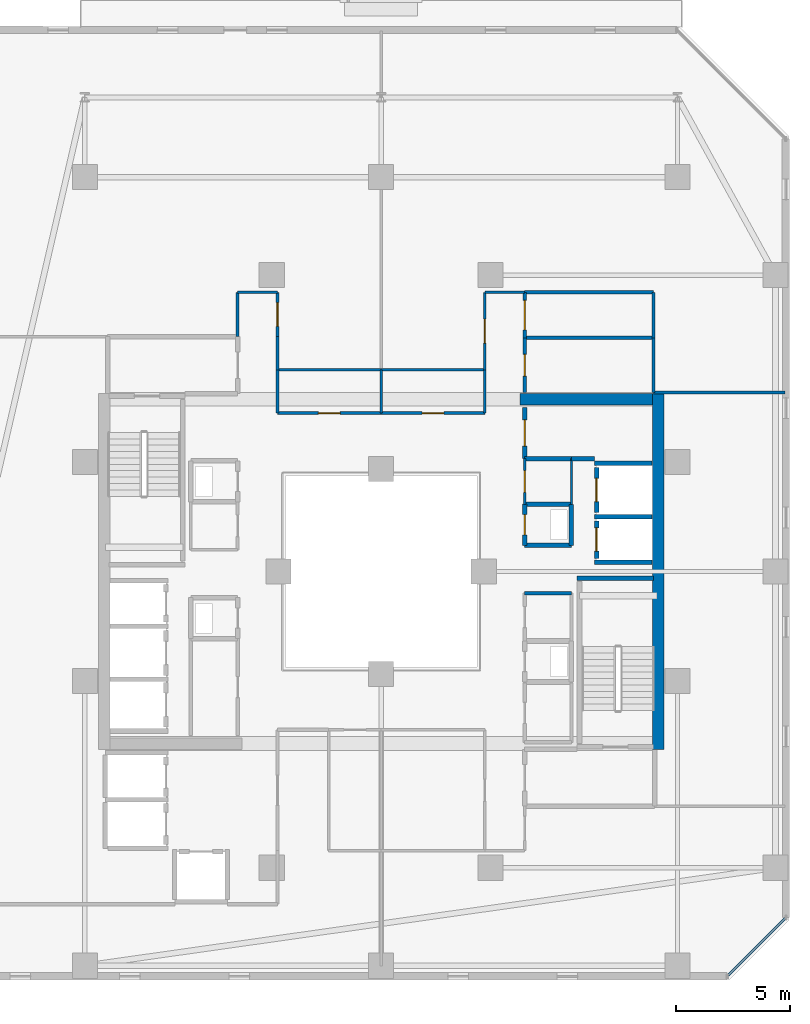
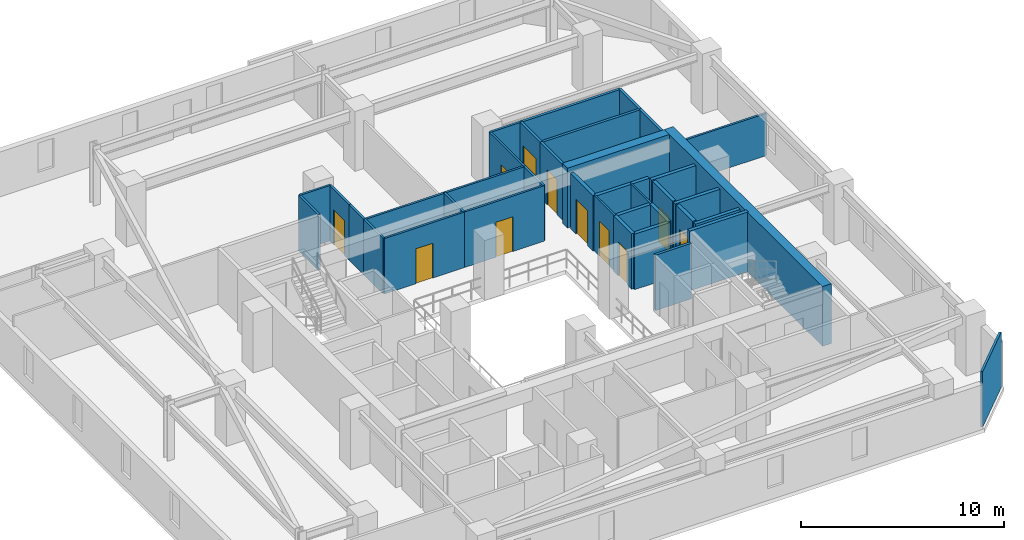
# One storey, part 25 of 33: 39 walls, 11 doors, 11 openings.
"""IFC4 building model written with IfcOpenShell, lengths in metres."""

from ifc_helpers import new_model, si_unit, direction, frame, frame_2d, origin, place, context, subcontext, project, spatial, rectangle, extrude, material, layer, layer_set, type_object, element, fill, save


model = new_model("IFC4")

# Units and contexts
model_context = context("Model", 3, precision=1e-05, world=origin(), true_north=direction((0.0, 1.0)))
body_context = subcontext(model_context, "Body", "Model", "MODEL_VIEW")
ifc_project = project(units=[si_unit("LENGTHUNIT", "METRE"), si_unit("AREAUNIT", "SQUARE_METRE"), si_unit("VOLUMEUNIT", "CUBIC_METRE"), si_unit("PLANEANGLEUNIT", "RADIAN"), si_unit("MASSUNIT", "GRAM", prefix="KILO")], contexts=[model_context])

# Site, building, storey
site_placement = place(None, origin())
site = spatial("IfcSite", under=ifc_project, at=site_placement, CompositionType="ELEMENT")
building_placement = place(site_placement, origin())
building = spatial("IfcBuilding", under=site, at=building_placement, Name="Thornwick Lancets Civic Towers", CompositionType="ELEMENT")
storey_placement = place(building_placement, frame((0.0, 0.0, 192.89990234375)))
storey = spatial("IfcBuildingStorey", under=building, at=storey_placement, Name="L51", CompositionType="ELEMENT", Elevation=192.89990234375)

# Wall, opening, door
ifc_material_1 = material(Name="Concrete blockwork C40/50", Category="masonry")
ifc_layer_1 = layer(ifc_material_1, 0.199951171875, Name="Concrete blockwork C40/50")
ifc_layer_set_1 = layer_set([ifc_layer_1], Name="Concrete blockwork C40/50")
wall_type_1 = type_object("IfcWallType", Name="WALL_COMP_200", PredefinedType="STANDARD", material=ifc_layer_set_1)
wall_1_placement = place(storey_placement, frame((97.949951171875, 29.219970703125, 0.0), z_axis=(0.0, 0.0, 1.0), x_axis=(0.0, -1.0, 0.0)))
wall_1 = element("IfcWall", 1, at=wall_1_placement, inside=storey, type_object=wall_type_1, Name="L51 Hoistway Front Wall FL-B1", PredefinedType="STANDARD", context=body_context, shape_type="SweptSolid", body=[
    extrude(rectangle(XDim=1.639892578125, YDim=0.199951171875, at=frame_2d((0.81982421875, 0.0))), origin(), (0.0, 0.0, 1.0), 3.340087890625),
])
opening_1_placement = place(wall_1_placement, frame((0.31005859375, 0.0, 0.0)))
opening_1 = element("IfcOpeningElement", 2, at=opening_1_placement, cuts=wall_1, Name="Opening LD-FL-B1", PredefinedType="OPENING", context=body_context, shape_type="SweptSolid", body=[
    extrude(rectangle(XDim=1.02001953125, YDim=2.06005859375, at=frame_2d((0.510009765625, 1.030029296875))), frame((0.0, 0.10986328125, 0.0), z_axis=(0.0, -1.0, 0.0), x_axis=(1.0, 0.0, 0.0)), (0.0, 0.0, 1.0), 0.219970703125),
])
ifc_material_2 = material(Name="Brushed bronze stainless steel", Category="steel")
door_type_1 = type_object("IfcDoorType", Name="DOOR_LIFT_SLIDE", OperationType="SLIDING_TO_LEFT", PredefinedType="DOOR", material=ifc_material_2)
door_1_placement = place(opening_1_placement, origin())
door_1 = element("IfcDoor", 3, at=door_1_placement, inside=storey, type_object=door_type_1, Name="L51 Sliding Lift Landing Door LD-FL-B1", OperationType="SLIDING_TO_LEFT", OverallHeight=2.06005859375, OverallWidth=1.02001953125, PredefinedType="DOOR", context=body_context, shape_type="SweptSolid", body=[
    extrude(rectangle(XDim=1.02001953125, YDim=2.06005859375, at=frame_2d((0.510009765625, 1.030029296875))), frame((0.0, 0.02490234375, 0.0), z_axis=(0.0, -1.0, 0.0), x_axis=(1.0, 0.0, 0.0)), (0.0, 0.0, 1.0), 0.050048828125),
])
fill(opening_1, door_1)

wall_2_placement = place(storey_placement, frame((97.949951171875, 31.570068359375, 0.0), z_axis=(0.0, 0.0, 1.0), x_axis=(0.0, -1.0, 0.0)))
wall_2 = element("IfcWall", 4, at=wall_2_placement, inside=storey, type_object=wall_type_1, Name="L51 Hoistway Front Wall PL-BH1", PredefinedType="STANDARD", context=body_context, shape_type="SweptSolid", body=[
    extrude(rectangle(XDim=1.989990234375, YDim=0.199951171875, at=frame_2d((0.9951171875, 0.0))), origin(), (0.0, 0.0, 1.0), 3.340087890625),
])
opening_2_placement = place(wall_2_placement, frame((0.485107421875, 0.0, 0.0)))
opening_2 = element("IfcOpeningElement", 5, at=opening_2_placement, cuts=wall_2, Name="Opening LD-PL-BH1", PredefinedType="OPENING", context=body_context, shape_type="SweptSolid", body=[
    extrude(rectangle(XDim=1.02001953125, YDim=2.06005859375, at=frame_2d((0.510009765625, 1.030029296875))), frame((0.0, 0.10986328125, 0.0), z_axis=(0.0, -1.0, 0.0), x_axis=(1.0, 0.0, 0.0)), (0.0, 0.0, 1.0), 0.219970703125),
])
door_2_placement = place(opening_2_placement, origin())
door_2 = element("IfcDoor", 6, at=door_2_placement, inside=storey, type_object=door_type_1, Name="L51 Sliding Lift Landing Door LD-PL-BH1", OperationType="SLIDING_TO_LEFT", OverallHeight=2.06005859375, OverallWidth=1.02001953125, PredefinedType="DOOR", context=body_context, shape_type="SweptSolid", body=[
    extrude(rectangle(XDim=1.02001953125, YDim=2.06005859375, at=frame_2d((0.510009765625, 1.030029296875))), frame((0.0, 0.02490234375, 0.0), z_axis=(0.0, -1.0, 0.0), x_axis=(1.0, 0.0, 0.0)), (0.0, 0.0, 1.0), 0.050048828125),
])
fill(opening_2, door_2)

# Walls
for number, where, z_axis, x_axis, name in (
    (7, (97.85205078125, 29.39990234375, 0.0), (0.0, 0.0, 1.0), (1.0, 0.0, 0.0), "L51 Hoistway Shaft Wall FL-B1 N"),
    (8, (97.85205078125, 27.39990234375, 0.0), (0.0, 0.0, 1.0), (1.0, 0.0, 0.0), "L51 Hoistway Shaft Wall FL-B1 S"),
    (9, (97.85205078125, 31.75, 0.0), (0.0, 0.0, 1.0), (1.0, 0.0, 0.0), "L51 Hoistway Shaft Wall PL-BH1 N"),
):
    element("IfcWall", number, at=place(storey_placement, frame(where, z_axis=z_axis, x_axis=x_axis)), inside=storey, type_object=wall_type_1, Name=name, PredefinedType="STANDARD", context=body_context, shape_type="SweptSolid", body=[
        extrude(rectangle(XDim=2.535888671875, YDim=0.199951171875, at=frame_2d((1.26806640625, 0.0))), origin(), (0.0, 0.0, 1.0), 3.340087890625),
    ])
wall_3_placement = place(storey_placement, frame((94.800048828125, 28.14990234375, 0.0), z_axis=(0.0, 0.0, 1.0), x_axis=(1.0, 0.0, 0.0)))
element("IfcWall", 10, at=wall_3_placement, inside=storey, type_object=wall_type_1, Name="L51 Partition L51-B-DUCT1 E1", PredefinedType="STANDARD", context=body_context, shape_type="SweptSolid", body=[
    extrude(rectangle(XDim=2.050048828125, YDim=0.199951171875, at=frame_2d((1.02490234375, 0.0))), origin(), (0.0, 0.0, 1.0), 3.340087890625),
])
wall_4_placement = place(storey_placement, frame((96.85009765625, 28.14990234375, 0.0), z_axis=(0.0, 0.0, 1.0), x_axis=(0.0, 1.0, 0.0)))
element("IfcWall", 11, at=wall_4_placement, inside=storey, type_object=wall_type_1, Name="L51 Partition L51-B-DUCT1 E2", PredefinedType="STANDARD", context=body_context, shape_type="SweptSolid", body=[
    extrude(rectangle(XDim=1.800048828125, YDim=0.199951171875, at=frame_2d((0.89990234375, 0.0))), origin(), (0.0, 0.0, 1.0), 3.340087890625),
])
wall_5_placement = place(storey_placement, frame((96.85009765625, 29.949951171875, 0.0), z_axis=(0.0, 0.0, 1.0), x_axis=(-1.0, 0.0, 0.0)))
element("IfcWall", 12, at=wall_5_placement, inside=storey, type_object=wall_type_1, Name="L51 Partition L51-B-DUCT1 E3", PredefinedType="STANDARD", context=body_context, shape_type="SweptSolid", body=[
    extrude(rectangle(XDim=2.050048828125, YDim=0.199951171875, at=frame_2d((1.02490234375, 0.0))), origin(), (0.0, 0.0, 1.0), 3.340087890625),
])

# Wall, opening, door
wall_6_placement = place(storey_placement, frame((94.800048828125, 29.949951171875, 0.0), z_axis=(0.0, 0.0, 1.0), x_axis=(0.0, -1.0, 0.0)))
wall_6 = element("IfcWall", 13, at=wall_6_placement, inside=storey, type_object=wall_type_1, Name="L51 Partition L51-B-DUCT1 E4", PredefinedType="STANDARD", context=body_context, shape_type="SweptSolid", body=[
    extrude(rectangle(XDim=1.800048828125, YDim=0.199951171875, at=frame_2d((0.89990234375, 0.0))), origin(), (0.0, 0.0, 1.0), 3.340087890625),
])
opening_3_placement = place(wall_6_placement, frame((0.4599609375, 0.0, 0.0)))
opening_3 = element("IfcOpeningElement", 14, at=opening_3_placement, cuts=wall_6, Name="Opening D-L51-2265", PredefinedType="OPENING", context=body_context, shape_type="SweptSolid", body=[
    extrude(rectangle(XDim=0.8798828125, YDim=2.0400390625, at=frame_2d((0.43994140625, 1.02001953125))), frame((0.0, 0.10986328125, 0.0), z_axis=(0.0, -1.0, 0.0), x_axis=(1.0, 0.0, 0.0)), (0.0, 0.0, 1.0), 0.219970703125),
])
ifc_material_3 = material(Name="Steel riser access doorset", Category="steel")
door_type_2 = type_object("IfcDoorType", Name="DOOR_RISER_850", OperationType="NOTDEFINED", PredefinedType="DOOR", material=ifc_material_3)
door_3_placement = place(opening_3_placement, origin())
door_3 = element("IfcDoor", 15, at=door_3_placement, inside=storey, type_object=door_type_2, Name="L51 East Service Duct 1 Door", OperationType="SINGLE_SWING_RIGHT", OverallHeight=2.0400390625, OverallWidth=0.8798828125, PredefinedType="DOOR", context=body_context, shape_type="SweptSolid", body=[
    extrude(rectangle(XDim=0.8798828125, YDim=2.0400390625, at=frame_2d((0.43994140625, 1.02001953125))), frame((0.0, 0.02490234375, 0.0), z_axis=(0.0, -1.0, 0.0), x_axis=(1.0, 0.0, 0.0)), (0.0, 0.0, 1.0), 0.050048828125),
])
fill(opening_3, door_3)

wall_7_placement = place(storey_placement, frame((94.800048828125, 31.949951171875, 0.0), z_axis=(0.0, 0.0, 1.0), x_axis=(0.0, 1.0, 0.0)))
wall_7 = element("IfcWall", 16, at=wall_7_placement, inside=storey, type_object=wall_type_1, Name="L51 Partition L51-B-ITR2 E1", PredefinedType="STANDARD", context=body_context, shape_type="SweptSolid", body=[
    extrude(rectangle(XDim=2.25, YDim=0.199951171875, at=frame_2d((1.125, 0.0))), origin(), (0.0, 0.0, 1.0), 3.340087890625),
])
opening_4_placement = place(wall_7_placement, frame((0.550048828125, 0.0, 0.0)))
opening_4 = element("IfcOpeningElement", 17, at=opening_4_placement, cuts=wall_7, Name="Opening D-L51-2272", PredefinedType="OPENING", context=body_context, shape_type="SweptSolid", body=[
    extrude(rectangle(XDim=1.14990234375, YDim=2.10009765625, at=frame_2d((0.574951171875, 1.050048828125))), frame((0.0, 0.10986328125, 0.0), z_axis=(0.0, -1.0, 0.0), x_axis=(1.0, 0.0, 0.0)), (0.0, 0.0, 1.0), 0.219970703125),
])
ifc_material_4 = material(Name="Glazed fire-resisting steel", Category="steel")
door_type_3 = type_object("IfcDoorType", Name="DOOR_LOBBY_FD60", OperationType="NOTDEFINED", PredefinedType="DOOR", material=ifc_material_4)
door_4_placement = place(opening_4_placement, origin())
door_4 = element("IfcDoor", 18, at=door_4_placement, inside=storey, type_object=door_type_3, Name="L51 Tower B Statutory Core Archive Door", OperationType="SINGLE_SWING_LEFT", OverallHeight=2.10009765625, OverallWidth=1.14990234375, PredefinedType="DOOR", context=body_context, shape_type="SweptSolid", body=[
    extrude(rectangle(XDim=1.14990234375, YDim=2.10009765625, at=frame_2d((0.574951171875, 1.050048828125))), frame((0.0, 0.02490234375, 0.0), z_axis=(0.0, -1.0, 0.0), x_axis=(1.0, 0.0, 0.0)), (0.0, 0.0, 1.0), 0.050048828125),
])
fill(opening_4, door_4)

# Walls
wall_8_placement = place(storey_placement, frame((97.85205078125, 31.949951171875, 0.0), z_axis=(0.0, 0.0, 1.0), x_axis=(-1.0, 0.0, 0.0)))
element("IfcWall", 19, at=wall_8_placement, inside=storey, type_object=wall_type_1, Name="L51 Partition L51-B-ITR2 E4", PredefinedType="STANDARD", context=body_context, shape_type="SweptSolid", body=[
    extrude(rectangle(XDim=1.001953125, YDim=0.199951171875, at=frame_2d((0.5009765625, 0.0))), origin(), (0.0, 0.0, 1.0), 3.340087890625),
])
wall_9_placement = place(storey_placement, frame((96.85009765625, 31.949951171875, 0.0), z_axis=(0.0, 0.0, 1.0), x_axis=(-1.0, 0.0, 0.0)))
element("IfcWall", 20, at=wall_9_placement, inside=storey, type_object=wall_type_1, Name="L51 Partition L51-B-ITR2 E5", PredefinedType="STANDARD", context=body_context, shape_type="SweptSolid", body=[
    extrude(rectangle(XDim=2.050048828125, YDim=0.199951171875, at=frame_2d((1.02490234375, 0.0))), origin(), (0.0, 0.0, 1.0), 3.340087890625),
])
ifc_material_5 = material(Name="Concrete C50/60", Category="concrete")
ifc_layer_2 = layer(ifc_material_5, 0.5, Name="Concrete C50/60")
ifc_layer_set_2 = layer_set([ifc_layer_2], Name="Concrete C50/60")
wall_type_2 = type_object("IfcWallType", Name="WALL_CORE_500", PredefinedType="SHEAR", material=ifc_layer_set_2)
wall_10_placement = place(storey_placement, frame((100.64990234375, 19.199951171875, 0.0), z_axis=(0.0, 0.0, 1.0), x_axis=(0.0, 1.0, 0.0)))
element("IfcWall", 21, at=wall_10_placement, inside=storey, type_object=wall_type_2, Name="L51 Split Core B1 Shear Wall E", PredefinedType="SHEAR", context=body_context, shape_type="SweptSolid", body=[
    extrude(rectangle(XDim=15.60009765625, YDim=0.5, at=frame_2d((7.800048828125, 0.0))), origin(), (0.0, 0.0, 1.0), 3.60009765625),
])
wall_11_placement = place(storey_placement, frame((94.60009765625, 34.550048828125, 0.0), z_axis=(0.0, 0.0, 1.0), x_axis=(1.0, 0.0, 0.0)))
element("IfcWall", 22, at=wall_11_placement, inside=storey, type_object=wall_type_2, Name="L51 Split Core B1 Shear Wall N", PredefinedType="SHEAR", context=body_context, shape_type="SweptSolid", body=[
    extrude(rectangle(XDim=5.7998046875, YDim=0.5, at=frame_2d((2.89990234375, 0.0))), origin(), (0.0, 0.0, 1.0), 3.60009765625),
])

# Wall, opening, door
ifc_material_6 = material(Name="Lightweight cellular office partition")
ifc_layer_3 = layer(ifc_material_6, 0.10009765625, Name="Lightweight cellular office partition")
ifc_layer_set_3 = layer_set([ifc_layer_3], Name="Lightweight cellular office partition")
wall_type_3 = type_object("IfcWallType", Name="WALL_PART_100", PredefinedType="PARTITIONING", material=ifc_layer_set_3)
wall_12_placement = place(storey_placement, frame((94.800048828125, 29.949951171875, 0.0), z_axis=(0.0, 0.0, 1.0), x_axis=(0.0, 1.0, 0.0)))
wall_12 = element("IfcWall", 23, at=wall_12_placement, inside=storey, type_object=wall_type_3, Name="L51 Partition L51-B-CLN E1", PredefinedType="PARTITIONING", context=body_context, shape_type="SweptSolid", body=[
    extrude(rectangle(XDim=2.0, YDim=0.10009765625, at=frame_2d((1.0, 0.0))), origin(), (0.0, 0.0, 1.0), 3.340087890625),
])
opening_5_placement = place(wall_12_placement, frame((0.52490234375, 0.0, 0.0)))
opening_5 = element("IfcOpeningElement", 24, at=opening_5_placement, cuts=wall_12, Name="Opening D-L51-2271", PredefinedType="OPENING", context=body_context, shape_type="SweptSolid", body=[
    extrude(rectangle(XDim=0.949951171875, YDim=2.10009765625, at=frame_2d((0.47509765625, 1.050048828125))), frame((0.0, 0.06005859375, 0.0), z_axis=(0.0, -1.0, 0.0), x_axis=(1.0, 0.0, 0.0)), (0.0, 0.0, 1.0), 0.1201171875),
])
ifc_material_7 = material(Name="European oak acoustic doorset")
door_type_4 = type_object("IfcDoorType", Name="DOOR_OFFICE_950", OperationType="NOTDEFINED", PredefinedType="DOOR", material=ifc_material_7)
door_5_placement = place(opening_5_placement, origin())
door_5 = element("IfcDoor", 25, at=door_5_placement, inside=storey, type_object=door_type_4, Name="L51 Tower B Cleaners Store Door", OperationType="SINGLE_SWING_RIGHT", OverallHeight=2.10009765625, OverallWidth=0.949951171875, PredefinedType="DOOR", context=body_context, shape_type="SweptSolid", body=[
    extrude(rectangle(XDim=0.949951171875, YDim=2.10009765625, at=frame_2d((0.47509765625, 1.050048828125))), frame((0.0, 0.02490234375, 0.0), z_axis=(0.0, -1.0, 0.0), x_axis=(1.0, 0.0, 0.0)), (0.0, 0.0, 1.0), 0.050048828125),
])
fill(opening_5, door_5)

# Walls
wall_13_placement = place(storey_placement, frame((96.85009765625, 31.949951171875, 0.0), z_axis=(0.0, 0.0, 1.0), x_axis=(0.0, -1.0, 0.0)))
element("IfcWall", 26, at=wall_13_placement, inside=storey, type_object=wall_type_3, Name="L51 Partition L51-B-CLN E3", PredefinedType="PARTITIONING", context=body_context, shape_type="SweptSolid", body=[
    extrude(rectangle(XDim=2.0, YDim=0.10009765625, at=frame_2d((1.0, 0.0))), origin(), (0.0, 0.0, 1.0), 3.340087890625),
])
ifc_material_8 = material(Name="Acoustic gypsum board partition")
ifc_layer_4 = layer(ifc_material_8, 0.1201171875, Name="Acoustic gypsum board partition")
ifc_layer_set_4 = layer_set([ifc_layer_4], Name="Acoustic gypsum board partition")
wall_type_4 = type_object("IfcWallType", Name="WALL_PART_120", PredefinedType="PARTITIONING", material=ifc_layer_set_4)
wall_14_placement = place(storey_placement, frame((106.219970703125, 11.774658203125, 0.0), z_axis=(0.0, 0.0, 1.0), x_axis=(-0.707106781187, -0.707106781187, 0.0)))
element("IfcWall", 27, at=wall_14_placement, inside=storey, type_object=wall_type_4, Name="L51 Partition L51-B-W1 E15", PredefinedType="PARTITIONING", context=body_context, shape_type="SweptSolid", body=[
    extrude(rectangle(XDim=3.52783203125, YDim=0.1201171875, at=frame_2d((1.763916015625, 0.0))), origin(), (0.0, 0.0, 1.0), 3.340087890625),
])
wall_15_placement = place(storey_placement, frame((88.5, 33.949951171875, 0.0), z_axis=(0.0, 0.0, 1.0), x_axis=(0.0, 1.0, 0.0)))
element("IfcWall", 28, at=wall_15_placement, inside=storey, type_object=wall_type_4, Name="L51 Partition L51-B-E1 E1", PredefinedType="PARTITIONING", context=body_context, shape_type="SweptSolid", body=[
    extrude(rectangle(XDim=1.900146484375, YDim=0.1201171875, at=frame_2d((0.9501953125, 0.0))), origin(), (0.0, 0.0, 1.0), 3.340087890625),
])
wall_16_placement = place(storey_placement, frame((88.5, 35.85009765625, 0.0), z_axis=(0.0, 0.0, 1.0), x_axis=(1.0, 0.0, 0.0)))
element("IfcWall", 29, at=wall_16_placement, inside=storey, type_object=wall_type_4, Name="L51 Partition L51-B-E1 E2", PredefinedType="PARTITIONING", context=body_context, shape_type="SweptSolid", body=[
    extrude(rectangle(XDim=4.550048828125, YDim=0.1201171875, at=frame_2d((2.27490234375, 0.0))), origin(), (0.0, 0.0, 1.0), 3.340087890625),
])
wall_17_placement = place(storey_placement, frame((93.050048828125, 35.85009765625, 0.0), z_axis=(0.0, 0.0, 1.0), x_axis=(0.0, -1.0, 0.0)))
element("IfcWall", 30, at=wall_17_placement, inside=storey, type_object=wall_type_4, Name="L51 Partition L51-B-E1 E3", PredefinedType="PARTITIONING", context=body_context, shape_type="SweptSolid", body=[
    extrude(rectangle(XDim=1.900146484375, YDim=0.1201171875, at=frame_2d((0.9501953125, 0.0))), origin(), (0.0, 0.0, 1.0), 3.340087890625),
])

# Wall, opening, door
wall_18_placement = place(storey_placement, frame((93.050048828125, 33.949951171875, 0.0), z_axis=(0.0, 0.0, 1.0), x_axis=(-1.0, 0.0, 0.0)))
wall_18 = element("IfcWall", 31, at=wall_18_placement, inside=storey, type_object=wall_type_4, Name="L51 Partition L51-B-E1 E4", PredefinedType="PARTITIONING", context=body_context, shape_type="SweptSolid", body=[
    extrude(rectangle(XDim=4.550048828125, YDim=0.1201171875, at=frame_2d((2.27490234375, 0.0))), origin(), (0.0, 0.0, 1.0), 3.340087890625),
])
opening_6_placement = place(wall_18_placement, frame((1.800048828125, 0.0, 0.0)))
opening_6 = element("IfcOpeningElement", 32, at=opening_6_placement, cuts=wall_18, Name="Opening D-L51-2291", PredefinedType="OPENING", context=body_context, shape_type="SweptSolid", body=[
    extrude(rectangle(XDim=0.949951171875, YDim=2.10009765625, at=frame_2d((0.47509765625, 1.050048828125))), frame((0.0, 0.070068359375, 0.0), z_axis=(0.0, -1.0, 0.0), x_axis=(1.0, 0.0, 0.0)), (0.0, 0.0, 1.0), 0.14013671875),
])
door_6_placement = place(opening_6_placement, origin())
door_6 = element("IfcDoor", 33, at=door_6_placement, inside=storey, type_object=door_type_4, Name="L51 Tower B Visitors Reception and Waiting Door", OperationType="SINGLE_SWING_RIGHT", OverallHeight=2.10009765625, OverallWidth=0.949951171875, PredefinedType="DOOR", context=body_context, shape_type="SweptSolid", body=[
    extrude(rectangle(XDim=0.949951171875, YDim=2.10009765625, at=frame_2d((0.47509765625, 1.050048828125))), frame((0.0, 0.02490234375, 0.0), z_axis=(0.0, -1.0, 0.0), x_axis=(1.0, 0.0, 0.0)), (0.0, 0.0, 1.0), 0.050048828125),
])
fill(opening_6, door_6)

# Wall
wall_19_placement = place(storey_placement, frame((94.800048828125, 39.25, 0.0), z_axis=(0.0, 0.0, 1.0), x_axis=(-1.0, 0.0, 0.0)))
element("IfcWall", 34, at=wall_19_placement, inside=storey, type_object=wall_type_4, Name="L51 Partition L51-B-E2 E4", PredefinedType="PARTITIONING", context=body_context, shape_type="SweptSolid", body=[
    extrude(rectangle(XDim=1.75, YDim=0.1201171875, at=frame_2d((0.875, 0.0))), origin(), (0.0, 0.0, 1.0), 3.340087890625),
])

# Wall, opening, door
wall_20_placement = place(storey_placement, frame((93.050048828125, 39.25, 0.0), z_axis=(0.0, 0.0, 1.0), x_axis=(0.0, -1.0, 0.0)))
wall_20 = element("IfcWall", 35, at=wall_20_placement, inside=storey, type_object=wall_type_4, Name="L51 Partition L51-B-E2 E5", PredefinedType="PARTITIONING", context=body_context, shape_type="SweptSolid", body=[
    extrude(rectangle(XDim=3.39990234375, YDim=0.1201171875, at=frame_2d((1.699951171875, 0.0))), origin(), (0.0, 0.0, 1.0), 3.340087890625),
])
opening_7_placement = place(wall_20_placement, frame((1.175048828125, 0.0, 0.0)))
opening_7 = element("IfcOpeningElement", 36, at=opening_7_placement, cuts=wall_20, Name="Opening D-L51-2292", PredefinedType="OPENING", context=body_context, shape_type="SweptSolid", body=[
    extrude(rectangle(XDim=1.050048828125, YDim=2.10009765625, at=frame_2d((0.52490234375, 1.050048828125))), frame((0.0, 0.070068359375, 0.0), z_axis=(0.0, -1.0, 0.0), x_axis=(1.0, 0.0, 0.0)), (0.0, 0.0, 1.0), 0.14013671875),
])
ifc_material_9 = material(Name="Glazed European oak executive doorset")
door_type_5 = type_object("IfcDoorType", Name="DOOR_OFFICE_1050", OperationType="NOTDEFINED", PredefinedType="DOOR", material=ifc_material_9)
door_7_placement = place(opening_7_placement, origin())
door_7 = element("IfcDoor", 37, at=door_7_placement, inside=storey, type_object=door_type_5, Name="L51 Tower B Secretariat Open Office E1 Door", OperationType="SINGLE_SWING_LEFT", OverallHeight=2.10009765625, OverallWidth=1.050048828125, PredefinedType="DOOR", context=body_context, shape_type="SweptSolid", body=[
    extrude(rectangle(XDim=1.050048828125, YDim=2.10009765625, at=frame_2d((0.52490234375, 1.050048828125))), frame((0.0, 0.02490234375, 0.0), z_axis=(0.0, -1.0, 0.0), x_axis=(1.0, 0.0, 0.0)), (0.0, 0.0, 1.0), 0.050048828125),
])
fill(opening_7, door_7)

# Walls
wall_21_placement = place(storey_placement, frame((106.219970703125, 34.85009765625, 0.0), z_axis=(0.0, 0.0, 1.0), x_axis=(-1.0, 0.0, 0.0)))
element("IfcWall", 38, at=wall_21_placement, inside=storey, type_object=wall_type_4, Name="L51 Partition L51-B-E2 E11", PredefinedType="PARTITIONING", context=body_context, shape_type="SweptSolid", body=[
    extrude(rectangle(XDim=5.77001953125, YDim=0.1201171875, at=frame_2d((2.885009765625, 0.0))), origin(), (0.0, 0.0, 1.0), 2.545166015625),
])
wall_22_placement = place(storey_placement, frame((83.949951171875, 33.949951171875, 0.0), z_axis=(0.0, 0.0, 1.0), x_axis=(0.0, 1.0, 0.0)))
element("IfcWall", 39, at=wall_22_placement, inside=storey, type_object=wall_type_4, Name="L51 Partition L51-B-E3 E1", PredefinedType="PARTITIONING", context=body_context, shape_type="SweptSolid", body=[
    extrude(rectangle(XDim=1.900146484375, YDim=0.1201171875, at=frame_2d((0.9501953125, 0.0))), origin(), (0.0, 0.0, 1.0), 3.340087890625),
])
wall_23_placement = place(storey_placement, frame((83.949951171875, 35.85009765625, 0.0), z_axis=(0.0, 0.0, 1.0), x_axis=(1.0, 0.0, 0.0)))
element("IfcWall", 40, at=wall_23_placement, inside=storey, type_object=wall_type_4, Name="L51 Partition L51-B-E3 E2", PredefinedType="PARTITIONING", context=body_context, shape_type="SweptSolid", body=[
    extrude(rectangle(XDim=4.550048828125, YDim=0.1201171875, at=frame_2d((2.27490234375, 0.0))), origin(), (0.0, 0.0, 1.0), 3.340087890625),
])

# Wall, opening, door
wall_24_placement = place(storey_placement, frame((88.5, 33.949951171875, 0.0), z_axis=(0.0, 0.0, 1.0), x_axis=(-1.0, 0.0, 0.0)))
wall_24 = element("IfcWall", 41, at=wall_24_placement, inside=storey, type_object=wall_type_4, Name="L51 Partition L51-B-E3 E4", PredefinedType="PARTITIONING", context=body_context, shape_type="SweptSolid", body=[
    extrude(rectangle(XDim=4.550048828125, YDim=0.1201171875, at=frame_2d((2.27490234375, 0.0))), origin(), (0.0, 0.0, 1.0), 3.340087890625),
])
opening_8_placement = place(wall_24_placement, frame((1.800048828125, 0.0, 0.0)))
opening_8 = element("IfcOpeningElement", 42, at=opening_8_placement, cuts=wall_24, Name="Opening D-L51-2293", PredefinedType="OPENING", context=body_context, shape_type="SweptSolid", body=[
    extrude(rectangle(XDim=0.949951171875, YDim=2.10009765625, at=frame_2d((0.47509765625, 1.050048828125))), frame((0.0, 0.070068359375, 0.0), z_axis=(0.0, -1.0, 0.0), x_axis=(1.0, 0.0, 0.0)), (0.0, 0.0, 1.0), 0.14013671875),
])
door_8_placement = place(opening_8_placement, origin())
door_8 = element("IfcDoor", 43, at=door_8_placement, inside=storey, type_object=door_type_4, Name="L51 Tower B Civic Seminar Room Door", OperationType="SINGLE_SWING_RIGHT", OverallHeight=2.10009765625, OverallWidth=0.949951171875, PredefinedType="DOOR", context=body_context, shape_type="SweptSolid", body=[
    extrude(rectangle(XDim=0.949951171875, YDim=2.10009765625, at=frame_2d((0.47509765625, 1.050048828125))), frame((0.0, 0.02490234375, 0.0), z_axis=(0.0, -1.0, 0.0), x_axis=(1.0, 0.0, 0.0)), (0.0, 0.0, 1.0), 0.050048828125),
])
fill(opening_8, door_8)

# Wall
wall_25_placement = place(storey_placement, frame((83.949951171875, 35.85009765625, 0.0), z_axis=(0.0, 0.0, 1.0), x_axis=(0.0, 1.0, 0.0)))
element("IfcWall", 44, at=wall_25_placement, inside=storey, type_object=wall_type_4, Name="L51 Partition L51-B-E4 E1", PredefinedType="PARTITIONING", context=body_context, shape_type="SweptSolid", body=[
    extrude(rectangle(XDim=1.449951171875, YDim=0.1201171875, at=frame_2d((0.72509765625, 0.0))), origin(), (0.0, 0.0, 1.0), 3.340087890625),
])

# Wall, opening, door
wall_26_placement = place(storey_placement, frame((83.949951171875, 37.300048828125, 0.0), z_axis=(0.0, 0.0, 1.0), x_axis=(0.0, 1.0, 0.0)))
wall_26 = element("IfcWall", 45, at=wall_26_placement, inside=storey, type_object=wall_type_4, Name="L51 Partition L51-B-E4 E2", PredefinedType="PARTITIONING", context=body_context, shape_type="SweptSolid", body=[
    extrude(rectangle(XDim=1.949951171875, YDim=0.1201171875, at=frame_2d((0.97509765625, 0.0))), origin(), (0.0, 0.0, 1.0), 3.340087890625),
])
opening_9_placement = place(wall_26_placement, frame((0.449951171875, 0.0, 0.0)))
opening_9 = element("IfcOpeningElement", 46, at=opening_9_placement, cuts=wall_26, Name="Opening D-L51-2294", PredefinedType="OPENING", context=body_context, shape_type="SweptSolid", body=[
    extrude(rectangle(XDim=1.050048828125, YDim=2.10009765625, at=frame_2d((0.52490234375, 1.050048828125))), frame((0.0, 0.070068359375, 0.0), z_axis=(0.0, -1.0, 0.0), x_axis=(1.0, 0.0, 0.0)), (0.0, 0.0, 1.0), 0.14013671875),
])
door_9_placement = place(opening_9_placement, origin())
door_9 = element("IfcDoor", 47, at=door_9_placement, inside=storey, type_object=door_type_5, Name="L51 Tower B Counsel Chambers Office E4 Door", OperationType="SINGLE_SWING_LEFT", OverallHeight=2.10009765625, OverallWidth=1.050048828125, PredefinedType="DOOR", context=body_context, shape_type="SweptSolid", body=[
    extrude(rectangle(XDim=1.050048828125, YDim=2.10009765625, at=frame_2d((0.52490234375, 1.050048828125))), frame((0.0, 0.02490234375, 0.0), z_axis=(0.0, -1.0, 0.0), x_axis=(1.0, 0.0, 0.0)), (0.0, 0.0, 1.0), 0.050048828125),
])
fill(opening_9, door_9)

# Walls
wall_27_placement = place(storey_placement, frame((83.949951171875, 39.25, 0.0), z_axis=(0.0, 0.0, 1.0), x_axis=(-1.0, 0.0, 0.0)))
element("IfcWall", 48, at=wall_27_placement, inside=storey, type_object=wall_type_4, Name="L51 Partition L51-B-E4 E3", PredefinedType="PARTITIONING", context=body_context, shape_type="SweptSolid", body=[
    extrude(rectangle(XDim=1.75, YDim=0.1201171875, at=frame_2d((0.875, 0.0))), origin(), (0.0, 0.0, 1.0), 3.340087890625),
])
wall_28_placement = place(storey_placement, frame((82.199951171875, 39.25, 0.0), z_axis=(0.0, 0.0, 1.0), x_axis=(0.0, -1.0, 0.0)))
element("IfcWall", 49, at=wall_28_placement, inside=storey, type_object=wall_type_4, Name="L51 Partition L51-B-E4 E4", PredefinedType="PARTITIONING", context=body_context, shape_type="SweptSolid", body=[
    extrude(rectangle(XDim=1.949951171875, YDim=0.1201171875, at=frame_2d((0.97509765625, 0.0))), origin(), (0.0, 0.0, 1.0), 3.340087890625),
])
ifc_material_10 = material(Name="Twin-stud acoustic gypsum board")
ifc_layer_5 = layer(ifc_material_10, 0.14990234375, Name="Twin-stud acoustic gypsum board")
ifc_layer_set_5 = layer_set([ifc_layer_5], Name="Twin-stud acoustic gypsum board")
wall_type_5 = type_object("IfcWallType", Name="WALL_PART_150", PredefinedType="PARTITIONING", material=ifc_layer_set_5)
wall_29_placement = place(storey_placement, frame((94.800048828125, 26.050048828125, 0.0), z_axis=(0.0, 0.0, 1.0), x_axis=(1.0, 0.0, 0.0)))
element("IfcWall", 50, at=wall_29_placement, inside=storey, type_object=wall_type_5, Name="L51 Partition L51-B-AWC E2", PredefinedType="PARTITIONING", context=body_context, shape_type="SweptSolid", body=[
    extrude(rectangle(XDim=2.050048828125, YDim=0.14990234375, at=frame_2d((1.02490234375, 0.0))), origin(), (0.0, 0.0, 1.0), 3.340087890625),
])
wall_30_placement = place(storey_placement, frame((100.449951171875, 37.25, 0.0), z_axis=(0.0, 0.0, 1.0), x_axis=(0.0, -1.0, 0.0)))
element("IfcWall", 51, at=wall_30_placement, inside=storey, type_object=wall_type_5, Name="L51 Partition L51-B-RECLAIM-L1 E1", PredefinedType="PARTITIONING", context=body_context, shape_type="SweptSolid", body=[
    extrude(rectangle(XDim=2.39990234375, YDim=0.14990234375, at=frame_2d((1.199951171875, 0.0))), origin(), (0.0, 0.0, 1.0), 3.340087890625),
])

# Wall, opening, door
wall_31_placement = place(storey_placement, frame((94.800048828125, 34.85009765625, 0.0), z_axis=(0.0, 0.0, 1.0), x_axis=(0.0, 1.0, 0.0)))
wall_31 = element("IfcWall", 52, at=wall_31_placement, inside=storey, type_object=wall_type_5, Name="L51 Partition L51-B-RECLAIM-L1 E3", PredefinedType="PARTITIONING", context=body_context, shape_type="SweptSolid", body=[
    extrude(rectangle(XDim=2.39990234375, YDim=0.14990234375, at=frame_2d((1.199951171875, 0.0))), origin(), (0.0, 0.0, 1.0), 3.340087890625),
])
opening_10_placement = place(wall_31_placement, frame((0.72509765625, 0.0, 0.0)))
opening_10 = element("IfcOpeningElement", 53, at=opening_10_placement, cuts=wall_31, Name="Opening D-L51-2285", PredefinedType="OPENING", context=body_context, shape_type="SweptSolid", body=[
    extrude(rectangle(XDim=0.949951171875, YDim=2.10009765625, at=frame_2d((0.47509765625, 1.050048828125))), frame((0.0, 0.0849609375, 0.0), z_axis=(0.0, -1.0, 0.0), x_axis=(1.0, 0.0, 0.0)), (0.0, 0.0, 1.0), 0.169921875),
])
door_10_placement = place(opening_10_placement, origin())
door_10 = element("IfcDoor", 54, at=door_10_placement, inside=storey, type_object=door_type_4, Name="L51 Tower B Policy Archive Door", OperationType="SINGLE_SWING_RIGHT", OverallHeight=2.10009765625, OverallWidth=0.949951171875, PredefinedType="DOOR", context=body_context, shape_type="SweptSolid", body=[
    extrude(rectangle(XDim=0.949951171875, YDim=2.10009765625, at=frame_2d((0.47509765625, 1.050048828125))), frame((0.0, 0.02490234375, 0.0), z_axis=(0.0, -1.0, 0.0), x_axis=(1.0, 0.0, 0.0)), (0.0, 0.0, 1.0), 0.050048828125),
])
fill(opening_10, door_10)

# Wall
wall_32_placement = place(storey_placement, frame((94.800048828125, 37.25, 0.0), z_axis=(0.0, 0.0, 1.0), x_axis=(1.0, 0.0, 0.0)))
element("IfcWall", 55, at=wall_32_placement, inside=storey, type_object=wall_type_5, Name="L51 Partition L51-B-RECLAIM-L1 E4", PredefinedType="PARTITIONING", context=body_context, shape_type="SweptSolid", body=[
    extrude(rectangle(XDim=5.64990234375, YDim=0.14990234375, at=frame_2d((2.824951171875, 0.0))), origin(), (0.0, 0.0, 1.0), 3.340087890625),
])

# Wall, opening, door
wall_33_placement = place(storey_placement, frame((94.800048828125, 37.25, 0.0), z_axis=(0.0, 0.0, 1.0), x_axis=(0.0, 1.0, 0.0)))
wall_33 = element("IfcWall", 56, at=wall_33_placement, inside=storey, type_object=wall_type_5, Name="L51 Partition L51-B-RECLAIM-L2 E1", PredefinedType="PARTITIONING", context=body_context, shape_type="SweptSolid", body=[
    extrude(rectangle(XDim=2.0, YDim=0.14990234375, at=frame_2d((1.0, 0.0))), origin(), (0.0, 0.0, 1.0), 3.340087890625),
])
opening_11_placement = place(wall_33_placement, frame((0.35009765625, 0.0, 0.0)))
opening_11 = element("IfcOpeningElement", 57, at=opening_11_placement, cuts=wall_33, Name="Opening D-L51-2286", PredefinedType="OPENING", context=body_context, shape_type="SweptSolid", body=[
    extrude(rectangle(XDim=1.300048828125, YDim=2.1201171875, at=frame_2d((0.64990234375, 1.06005859375))), frame((0.0, 0.0849609375, 0.0), z_axis=(0.0, -1.0, 0.0), x_axis=(1.0, 0.0, 0.0)), (0.0, 0.0, 1.0), 0.169921875),
])
ifc_material_11 = material(Name="Acoustic oak leaf-and-a-half doorset")
door_type_6 = type_object("IfcDoorType", Name="DOOR_MEET_1300", OperationType="DOUBLE_DOOR_SINGLE_SWING", PredefinedType="DOOR", material=ifc_material_11)
door_11_placement = place(opening_11_placement, origin())
door_11 = element("IfcDoor", 58, at=door_11_placement, inside=storey, type_object=door_type_6, Name="L51 Tower B Ministerial Consultation Room Door", OperationType="DOUBLE_DOOR_SINGLE_SWING", OverallHeight=2.1201171875, OverallWidth=1.300048828125, PredefinedType="DOOR", context=body_context, shape_type="SweptSolid", body=[
    extrude(rectangle(XDim=1.300048828125, YDim=2.1201171875, at=frame_2d((0.64990234375, 1.06005859375))), frame((0.0, 0.02490234375, 0.0), z_axis=(0.0, -1.0, 0.0), x_axis=(1.0, 0.0, 0.0)), (0.0, 0.0, 1.0), 0.050048828125),
])
fill(opening_11, door_11)

# Walls
wall_34_placement = place(storey_placement, frame((94.800048828125, 39.25, 0.0), z_axis=(0.0, 0.0, 1.0), x_axis=(1.0, 0.0, 0.0)))
element("IfcWall", 59, at=wall_34_placement, inside=storey, type_object=wall_type_5, Name="L51 Partition L51-B-RECLAIM-L2 E2", PredefinedType="PARTITIONING", context=body_context, shape_type="SweptSolid", body=[
    extrude(rectangle(XDim=5.64990234375, YDim=0.14990234375, at=frame_2d((2.824951171875, 0.0))), origin(), (0.0, 0.0, 1.0), 3.340087890625),
])
wall_35_placement = place(storey_placement, frame((100.449951171875, 39.25, 0.0), z_axis=(0.0, 0.0, 1.0), x_axis=(0.0, -1.0, 0.0)))
element("IfcWall", 60, at=wall_35_placement, inside=storey, type_object=wall_type_5, Name="L51 Partition L51-B-RECLAIM-L2 E3", PredefinedType="PARTITIONING", context=body_context, shape_type="SweptSolid", body=[
    extrude(rectangle(XDim=2.0, YDim=0.14990234375, at=frame_2d((1.0, 0.0))), origin(), (0.0, 0.0, 1.0), 3.340087890625),
])
ifc_material_12 = material(Name="Concrete C40/50", Category="concrete")
ifc_layer_6 = layer(ifc_material_12, 0.199951171875, Name="Concrete C40/50")
ifc_layer_set_6 = layer_set([ifc_layer_6], Name="Concrete C40/50")
wall_type_6 = type_object("IfcWallType", Name="WALL_SHAFT_200", PredefinedType="SHEAR", material=ifc_layer_set_6)
wall_36_placement = place(storey_placement, frame((97.10009765625, 26.699951171875, 0.0), z_axis=(0.0, 0.0, 1.0), x_axis=(1.0, 0.0, 0.0)))
element("IfcWall", 61, at=wall_36_placement, inside=storey, type_object=wall_type_6, Name="L51 ST-B1 Fire Stair Core Wall FAR", PredefinedType="SHEAR", context=body_context, shape_type="SweptSolid", body=[
    extrude(rectangle(XDim=3.349853515625, YDim=0.199951171875, at=frame_2d((1.6748046875, 0.0))), origin(), (0.0, 0.0, 1.0), 3.60009765625),
])

save(model, "model.ifc")
